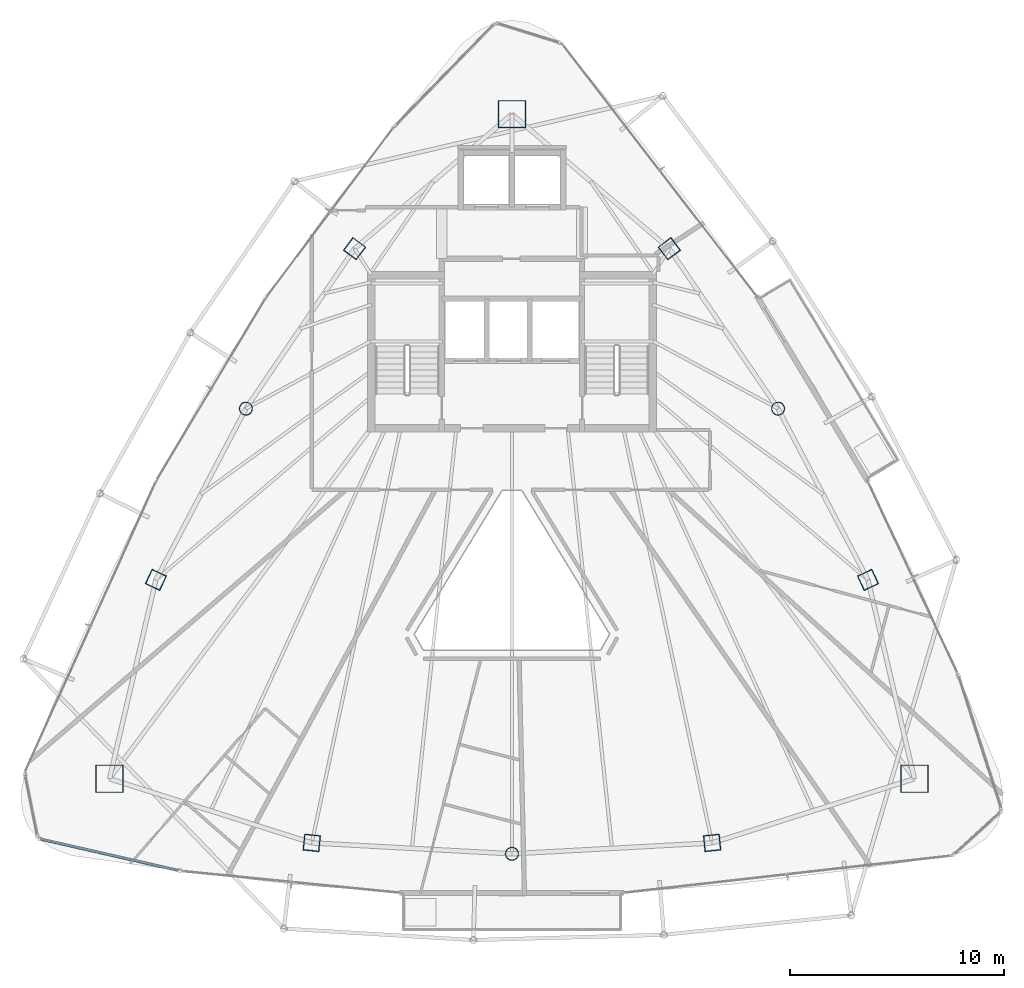
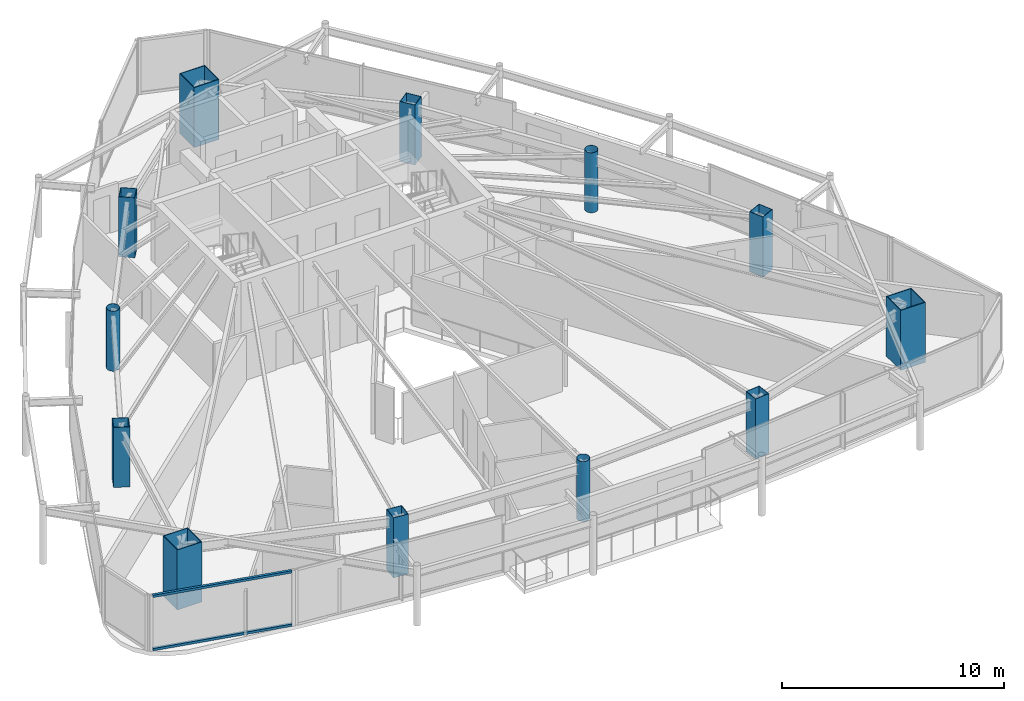
# One storey, part 1 of 30: 12 columns, 2 members, 1 element without a shape of its own.
"""IFC4 building model written with IfcOpenShell, lengths in metres."""

from ifc_helpers import new_model, si_unit, direction, frame, origin, origin_2d, place, context, subcontext, project, spatial, hollow_rectangle, hollow_circle, extrude, material, layer, layer_set, material_profile, profile_set, type_object, element, aggregate, save


model = new_model("IFC4")

# Units and contexts
model_context = context("Model", 3, precision=1e-05, world=origin(), true_north=direction((0.0, 1.0)))
body_context = subcontext(model_context, "Body", "Model", "MODEL_VIEW")
ifc_project = project(units=[si_unit("LENGTHUNIT", "METRE"), si_unit("AREAUNIT", "SQUARE_METRE"), si_unit("VOLUMEUNIT", "CUBIC_METRE"), si_unit("PLANEANGLEUNIT", "RADIAN"), si_unit("MASSUNIT", "GRAM", prefix="KILO")], contexts=[model_context])

# Site, building, storey
site_placement = place(None, origin())
site = spatial("IfcSite", under=ifc_project, at=site_placement, CompositionType="ELEMENT")
building_placement = place(site_placement, origin())
building = spatial("IfcBuilding", under=site, at=building_placement, Name="Orvanel Arch Residences", CompositionType="ELEMENT")
storey_placement = place(building_placement, frame((0.0, 0.0, 226.10009765625)))
storey = spatial("IfcBuildingStorey", under=building, at=storey_placement, Name="L64", CompositionType="ELEMENT", Elevation=226.10009765625)

# Columns
ifc_material_1 = material(Name="Structural steel AS/NZS 1163 C350L0 (Grade 350)", Category="steel")
ifc_material_profile_1 = material_profile(ifc_material_1, hollow_circle(Radius=0.304931640625, WallThickness=0.01611328125, at=origin_2d()), Name="CHS610x16")
ifc_profile_set_1 = profile_set([ifc_material_profile_1], Name="Structural steel AS/NZS 1163 C350L0 (Grade 350)")
column_type_1 = type_object("IfcColumnType", Name="CC-610", PredefinedType="COLUMN", material=ifc_profile_set_1)
for number, where, z_axis, x_axis, name in (
    (1, (20.569091796875, 27.64111328125, 0.0), (0.0, 0.0, 1.0), (1.0, 0.0, 0.0), "L64 High-Rise Tube Column 02"),
    (2, (33.0, 6.843994140625, 0.0), (0.0, 0.0, 1.0), (1.0, 0.0, 0.0), "L64 High-Rise Tube Column 05"),
    (3, (45.430908203125, 27.64111328125, 0.0), (0.0, 0.0, 1.0), (1.0, 0.0, 0.0), "L64 High-Rise Tube Column 08"),
):
    element("IfcColumn", number, at=place(storey_placement, frame(where, z_axis=z_axis, x_axis=x_axis)), inside=storey, type_object=column_type_1, Name=name, PredefinedType="COLUMN", context=body_context, shape_type="SweptSolid", body=[
        extrude(hollow_circle(Radius=0.304931640625, WallThickness=0.01611328125, at=origin_2d()), origin(), (0.0, 0.0, 1.0), 3.2998046875),
    ])
ifc_material_2 = material(Name="Structural steel AS/NZS 3678 Grade 450", Category="steel")
ifc_material_profile_2 = material_profile(ifc_material_2, hollow_rectangle(XDim=1.300048828125, YDim=1.300048828125, WallThickness=0.0400390625, at=origin_2d()), Name="BOX1300x1300x40")
ifc_profile_set_2 = profile_set([ifc_material_profile_2], Name="Structural steel AS/NZS 3678 Grade 450")
column_type_2 = type_object("IfcColumnType", Name="MC-1300", PredefinedType="COLUMN", material=ifc_profile_set_2)
for number, where, z_axis, x_axis, name in (
    (4, (33.0, 41.39794921875, 0.0), (0.0, 0.0, 1.0), (1.0, 0.0, 0.0), "L64 Corner Mega-Column 1"),
    (5, (14.198974609375, 10.35107421875, 0.0), (0.0, 0.0, 1.0), (1.0, 0.0, 0.0), "L64 Corner Mega-Column 2"),
    (6, (51.801025390625, 10.35107421875, 0.0), (0.0, 0.0, 1.0), (1.0, 0.0, 0.0), "L64 Corner Mega-Column 3"),
):
    element("IfcColumn", number, at=place(storey_placement, frame(where, z_axis=z_axis, x_axis=x_axis)), inside=storey, type_object=column_type_2, Name=name, PredefinedType="COLUMN", context=body_context, shape_type="SweptSolid", body=[
        extrude(hollow_rectangle(XDim=1.300048828125, YDim=1.300048828125, WallThickness=0.0400390625, at=origin_2d()), origin(), (0.0, 0.0, 1.0), 3.2998046875),
    ])
ifc_material_3 = material(Name="Structural steel AS/NZS 3678 Grade 350", Category="steel")
ifc_material_profile_3 = material_profile(ifc_material_3, hollow_rectangle(XDim=0.75, YDim=0.75, WallThickness=0.02490234375, at=origin_2d()), Name="BOX750x750x25")
ifc_profile_set_3 = profile_set([ifc_material_profile_3], Name="Structural steel AS/NZS 3678 Grade 350")
column_type_3 = type_object("IfcColumnType", Name="TC-750", PredefinedType="COLUMN", material=ifc_profile_set_3)
for number, where, z_axis, x_axis, name in (
    (7, (25.64794921875, 35.113037109375, 0.0), (0.0, 0.0, 1.0), (0.600420225326, 0.799684658487, 0.0), "L64 High-Rise Tube Column 01"),
    (8, (16.366943359375, 19.64208984375, 0.0), (0.0, 0.0, 1.0), (0.422618261741, 0.906307787037, 0.0), "L64 High-Rise Tube Column 03"),
    (9, (23.64892578125, 7.35498046875, 0.0), (0.0, 0.0, 1.0), (-0.994880708829, 0.101056297183, 0.0), "L64 High-Rise Tube Column 04"),
    (10, (42.35107421875, 7.35498046875, 0.0), (0.0, 0.0, 1.0), (0.994880708829, 0.101056297183, 0.0), "L64 High-Rise Tube Column 06"),
    (11, (49.633056640625, 19.64208984375, 0.0), (0.0, 0.0, 1.0), (-0.422618261741, 0.906307787037, 0.0), "L64 High-Rise Tube Column 07"),
    (12, (40.35205078125, 35.113037109375, 0.0), (0.0, 0.0, 1.0), (-0.600420225326, 0.799684658487, 0.0), "L64 High-Rise Tube Column 09"),
):
    element("IfcColumn", number, at=place(storey_placement, frame(where, z_axis=z_axis, x_axis=x_axis)), inside=storey, type_object=column_type_3, Name=name, PredefinedType="COLUMN", context=body_context, shape_type="SweptSolid", body=[
        extrude(hollow_rectangle(XDim=0.75, YDim=0.75, WallThickness=0.02490234375, at=origin_2d()), origin(), (0.0, 0.0, 1.0), 3.2998046875),
    ])

# Curtain wall, members
ifc_material_4 = material(Name="Bronze-anodised aluminium AA6063-T6", Category="aluminium")
ifc_layer = layer(ifc_material_4, 0.18994140625)
ifc_layer_set = layer_set([ifc_layer], Name="Bronze-anodised aluminium AA6063-T6")
curtain_wall_type = type_object("IfcCurtainWallType", Name="CW5-CRN-SYS", PredefinedType="NOTDEFINED", material=ifc_layer_set)
curtain_wall_placement = place(storey_placement, origin())
curtain_wall = element("IfcCurtainWall", 13, at=curtain_wall_placement, inside=storey, type_object=curtain_wall_type, Name="L64 CW5-CRN-SYS Unitised Curtain Wall", PredefinedType="NOTDEFINED")
ifc_material_profile_4 = material_profile(ifc_material_4, hollow_rectangle(XDim=0.1298828125, YDim=0.1298828125, WallThickness=0.00439453125, at=origin_2d()), Name="ALU130x130x4.5")
ifc_profile_set_4 = profile_set([ifc_material_profile_4], Name="Bronze-anodised aluminium AA6063-T6")
member_type = type_object("IfcMemberType", Name="TRN-130x130", PredefinedType="USERDEFINED", material=ifc_profile_set_4)
member_1_placement = place(storey_placement, frame((11.00927734375, 7.529541015625, 0.06494140625), z_axis=(0.974977866768, -0.22230195526, 0.0), x_axis=(0.22230195526, 0.974977866768, 0.0)))
member_1 = element("IfcMember", 14, at=member_1_placement, type_object=member_type, Name="CW-S5 transom 1.1", ObjectType="TRANSOM", PredefinedType="USERDEFINED", context=body_context, shape_type="SweptSolid", body=[
    extrude(hollow_rectangle(XDim=0.1298828125, YDim=0.1298828125, WallThickness=0.00439453125, at=origin_2d()), origin(), (0.0, 0.0, 1.0), 6.555419921875),
])
member_2_placement = place(storey_placement, frame((11.00927734375, 7.529541015625, 2.994873046875), z_axis=(0.974977866768, -0.22230195526, 0.0), x_axis=(0.22230195526, 0.974977866768, 0.0)))
member_2 = element("IfcMember", 15, at=member_2_placement, type_object=member_type, Name="CW-S5 transom 1.2", ObjectType="TRANSOM", PredefinedType="USERDEFINED", context=body_context, shape_type="SweptSolid", body=[
    extrude(hollow_rectangle(XDim=0.1298828125, YDim=0.1298828125, WallThickness=0.00439453125, at=origin_2d()), origin(), (0.0, 0.0, 1.0), 6.555419921875),
])
aggregate(curtain_wall, [member_1, member_2])

save(model, "model.ifc")
